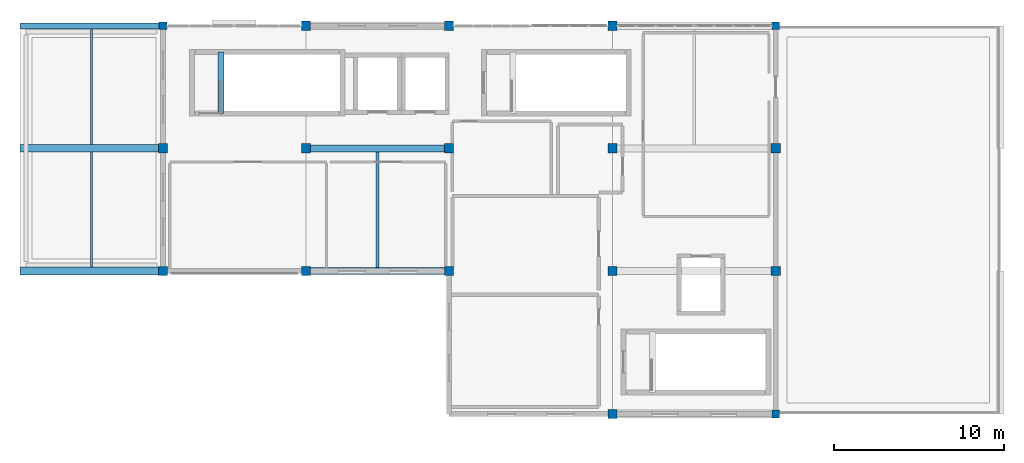
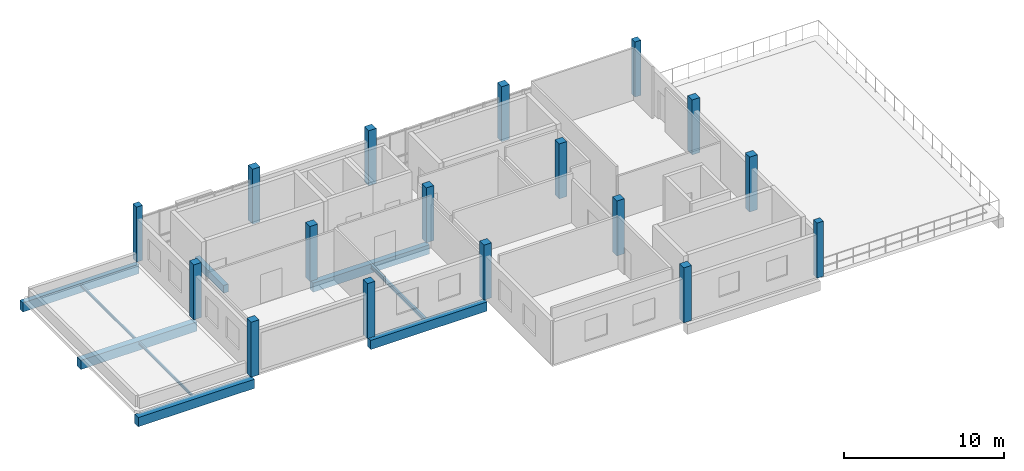
# One storey, part 1 of 11: 17 columns, 9 beams.
"""IFC4 building model written with IfcOpenShell, lengths in metres."""

from ifc_helpers import new_model, si_unit, direction, frame, origin, origin_2d, place, context, subcontext, project, spatial, rectangle, i_section, extrude, material, material_profile, profile_set, type_object, element, save


model = new_model("IFC4")

# Units and contexts
model_context = context("Model", 3, precision=1e-05, world=origin(), true_north=direction((0.0, 1.0)))
body_context = subcontext(model_context, "Body", "Model", "MODEL_VIEW")
ifc_project = project(units=[si_unit("LENGTHUNIT", "METRE"), si_unit("AREAUNIT", "SQUARE_METRE"), si_unit("VOLUMEUNIT", "CUBIC_METRE"), si_unit("PLANEANGLEUNIT", "RADIAN"), si_unit("MASSUNIT", "GRAM", prefix="KILO")], contexts=[model_context])

# Site, building, storey
site_placement = place(None, origin())
site = spatial("IfcSite", under=ifc_project, at=site_placement, CompositionType="ELEMENT")
building_placement = place(site_placement, origin())
building = spatial("IfcBuilding", under=site, at=building_placement, Name="Kisaragi Civic Commons", CompositionType="ELEMENT")
storey_placement = place(building_placement, frame((0.0, 0.0, 17.39990234375)))
storey = spatial("IfcBuildingStorey", under=building, at=storey_placement, Name="L04", CompositionType="ELEMENT", Elevation=17.39990234375)

# Columns
ifc_material_1 = material(Name="Concrete Fc30", Category="concrete")
ifc_material_profile_1 = material_profile(ifc_material_1, rectangle(XDim=0.550048828125, YDim=0.550048828125, at=origin_2d()), Name="RC-550x550", Category="concrete")
ifc_profile_set_1 = profile_set([ifc_material_profile_1], Name="Concrete Fc30")
column_type_1 = type_object("IfcColumnType", Name="C-04", PredefinedType="COLUMN", material=ifc_profile_set_1)
for number, where, z_axis, x_axis, name in (
    (1, (97.199951171875, 104.39990234375, 0.0), (0.0, 0.0, 1.0), (1.0, 0.0, 0.0), "L04 column C-04 (97.2,104.4)"),
    (2, (97.199951171875, 111.60009765625, 0.0), (0.0, 0.0, 1.0), (1.0, 0.0, 0.0), "L04 column C-04 (97.2,111.6)"),
    (3, (105.60009765625, 104.39990234375, 0.0), (0.0, 0.0, 1.0), (1.0, 0.0, 0.0), "L04 column C-04 (105.6,104.4)"),
    (4, (105.60009765625, 111.60009765625, 0.0), (0.0, 0.0, 1.0), (1.0, 0.0, 0.0), "L04 column C-04 (105.6,111.6)"),
    (5, (114.0, 104.39990234375, 0.0), (0.0, 0.0, 1.0), (1.0, 0.0, 0.0), "L04 column C-04 (114.0,104.4)"),
    (6, (114.0, 111.60009765625, 0.0), (0.0, 0.0, 1.0), (1.0, 0.0, 0.0), "L04 column C-04 (114.0,111.6)"),
    (7, (123.60009765625, 104.39990234375, 0.0), (0.0, 0.0, 1.0), (1.0, 0.0, 0.0), "L04 column C-04 (123.6,104.4)"),
    (8, (123.60009765625, 111.60009765625, 0.0), (0.0, 0.0, 1.0), (1.0, 0.0, 0.0), "L04 column C-04 (123.6,111.6)"),
    (9, (133.199951171875, 104.39990234375, 0.0), (0.0, 0.0, 1.0), (1.0, 0.0, 0.0), "L04 column C-04 (133.2,104.4)"),
    (10, (133.199951171875, 111.60009765625, 0.0), (0.0, 0.0, 1.0), (1.0, 0.0, 0.0), "L04 column C-04 (133.2,111.6)"),
):
    element("IfcColumn", number, at=place(storey_placement, frame(where, z_axis=z_axis, x_axis=x_axis)), inside=storey, type_object=column_type_1, Name=name, PredefinedType="COLUMN", context=body_context, shape_type="SweptSolid", body=[
        extrude(rectangle(XDim=0.550048828125, YDim=0.550048828125, at=origin_2d()), origin(), (0.0, 0.0, 1.0), 4.2001953125),
    ])
ifc_material_profile_2 = material_profile(ifc_material_1, rectangle(XDim=0.550048828125, YDim=0.550048828125, at=origin_2d()), Name="RC-550x550", Category="concrete")
ifc_profile_set_2 = profile_set([ifc_material_profile_2], Name="Concrete Fc30")
column_type_2 = type_object("IfcColumnType", Name="C-08", PredefinedType="COLUMN", material=ifc_profile_set_2)
for number, where, z_axis, x_axis, name in (
    (11, (105.60009765625, 118.800048828125, 0.0), (0.0, 0.0, 1.0), (1.0, 0.0, 0.0), "L04 column C-08 (105.6,118.8)"),
    (12, (114.0, 118.800048828125, 0.0), (0.0, 0.0, 1.0), (1.0, 0.0, 0.0), "L04 column C-08 (114.0,118.8)"),
    (13, (123.60009765625, 96.0, 0.0), (0.0, 0.0, 1.0), (1.0, 0.0, 0.0), "L04 column C-08 (123.6,96.0)"),
    (14, (123.60009765625, 118.800048828125, 0.0), (0.0, 0.0, 1.0), (1.0, 0.0, 0.0), "L04 column C-08 (123.6,118.8)"),
):
    element("IfcColumn", number, at=place(storey_placement, frame(where, z_axis=z_axis, x_axis=x_axis)), inside=storey, type_object=column_type_2, Name=name, PredefinedType="COLUMN", context=body_context, shape_type="SweptSolid", body=[
        extrude(rectangle(XDim=0.550048828125, YDim=0.550048828125, at=origin_2d()), origin(), (0.0, 0.0, 1.0), 4.2001953125),
    ])
ifc_material_profile_3 = material_profile(ifc_material_1, rectangle(XDim=0.449951171875, YDim=0.449951171875, at=origin_2d()), Name="RC-450x450", Category="concrete")
ifc_profile_set_3 = profile_set([ifc_material_profile_3], Name="Concrete Fc30")
column_type_3 = type_object("IfcColumnType", Name="C-18", PredefinedType="COLUMN", material=ifc_profile_set_3)
for number, where, z_axis, x_axis, name in (
    (15, (97.199951171875, 118.800048828125, 0.0), (0.0, 0.0, 1.0), (1.0, 0.0, 0.0), "L04 column C-18 (97.2,118.8)"),
    (16, (133.199951171875, 96.0, 0.0), (0.0, 0.0, 1.0), (1.0, 0.0, 0.0), "L04 column C-18 (133.2,96.0)"),
    (17, (133.199951171875, 118.800048828125, 0.0), (0.0, 0.0, 1.0), (1.0, 0.0, 0.0), "L04 column C-18 (133.2,118.8)"),
):
    element("IfcColumn", number, at=place(storey_placement, frame(where, z_axis=z_axis, x_axis=x_axis)), inside=storey, type_object=column_type_3, Name=name, PredefinedType="COLUMN", context=body_context, shape_type="SweptSolid", body=[
        extrude(rectangle(XDim=0.449951171875, YDim=0.449951171875, at=origin_2d()), origin(), (0.0, 0.0, 1.0), 4.2001953125),
    ])

# Beams
ifc_material_profile_4 = material_profile(ifc_material_1, rectangle(XDim=0.35009765625, YDim=0.60009765625, at=origin_2d()), Name="RC-350x600", Category="concrete")
ifc_profile_set_4 = profile_set([ifc_material_profile_4], Name="Concrete Fc30")
beam_type_1 = type_object("IfcBeamType", Name="G-14", PredefinedType="BEAM", material=ifc_profile_set_4)
beam_1_placement = place(storey_placement, frame((100.60009765625, 113.64990234375, -0.2998046875), z_axis=(0.0, 1.0, 0.0), x_axis=(-1.0, 0.0, 0.0)))
element("IfcBeam", 18, at=beam_1_placement, inside=storey, type_object=beam_type_1, Name="ST-L1 L04 stair landing trimmer beam", PredefinedType="BEAM", context=body_context, shape_type="SweptSolid", body=[
    extrude(rectangle(XDim=0.35009765625, YDim=0.60009765625, at=origin_2d()), origin(), (0.0, 0.0, 1.0), 3.60009765625),
])
ifc_material_profile_5 = material_profile(ifc_material_1, rectangle(XDim=0.39990234375, YDim=0.699951171875, at=origin_2d()), Name="RC-400x700", Category="concrete")
ifc_profile_set_5 = profile_set([ifc_material_profile_5], Name="Concrete Fc30")
beam_type_2 = type_object("IfcBeamType", Name="G-16", PredefinedType="BEAM", material=ifc_profile_set_5)
for number, where, z_axis, x_axis, name in (
    (19, (105.60009765625, 104.39990234375, -0.619873046875), (1.0, 0.0, 0.0), (0.0, 1.0, 0.0), "L04 girder G-16 338"),
    (20, (105.60009765625, 111.60009765625, -0.619873046875), (1.0, 0.0, 0.0), (0.0, 1.0, 0.0), "L04 girder G-16 341"),
):
    element("IfcBeam", number, at=place(storey_placement, frame(where, z_axis=z_axis, x_axis=x_axis)), inside=storey, type_object=beam_type_2, Name=name, PredefinedType="BEAM", context=body_context, shape_type="SweptSolid", body=[
        extrude(rectangle(XDim=0.39990234375, YDim=0.699951171875, at=origin_2d()), origin(), (0.0, 0.0, 1.0), 8.39990234375),
    ])
ifc_material_profile_6 = material_profile(ifc_material_1, rectangle(XDim=0.449951171875, YDim=0.699951171875, at=origin_2d()), Name="RC-450x700", Category="concrete")
ifc_profile_set_6 = profile_set([ifc_material_profile_6], Name="Concrete Fc30")
beam_type_3 = type_object("IfcBeamType", Name="G-17", PredefinedType="BEAM", material=ifc_profile_set_6)
for number, where, z_axis, x_axis, name in (
    (21, (88.800048828125, 104.39990234375, -0.619873046875), (1.0, 0.0, 0.0), (0.0, 1.0, 0.0), "L04 girder G-17 337"),
    (22, (88.800048828125, 111.60009765625, -0.619873046875), (1.0, 0.0, 0.0), (0.0, 1.0, 0.0), "L04 girder G-17 340"),
):
    element("IfcBeam", number, at=place(storey_placement, frame(where, z_axis=z_axis, x_axis=x_axis)), inside=storey, type_object=beam_type_3, Name=name, PredefinedType="BEAM", context=body_context, shape_type="SweptSolid", body=[
        extrude(rectangle(XDim=0.449951171875, YDim=0.699951171875, at=origin_2d()), origin(), (0.0, 0.0, 1.0), 8.39990234375),
    ])
ifc_material_2 = material(Name="Steel SN400 (SN400B)", Category="steel")
ifc_material_profile_7 = material_profile(ifc_material_2, i_section(OverallWidth=0.14990234375, OverallDepth=0.300048828125, WebThickness=0.006591796875, FlangeThickness=0.009033203125, FilletRadius=0.012939453125, at=origin_2d()), Name="H-300x150x6.5x9", Category="steel")
ifc_profile_set_7 = profile_set([ifc_material_profile_7], Name="Steel SN400 (SN400B)")
beam_type_4 = type_object("IfcBeamType", Name="J-03", PredefinedType="JOIST", material=ifc_profile_set_7)
beam_2_placement = place(storey_placement, frame((109.800048828125, 104.60009765625, -0.419921875), z_axis=(0.0, 1.0, 0.0), x_axis=(-1.0, 0.0, 0.0)))
element("IfcBeam", 23, at=beam_2_placement, inside=storey, type_object=beam_type_4, Name="L04 secondary steel joist J-03 82", PredefinedType="JOIST", context=body_context, shape_type="SweptSolid", body=[
    extrude(i_section(OverallWidth=0.14990234375, OverallDepth=0.300048828125, WebThickness=0.006591796875, FlangeThickness=0.009033203125, FilletRadius=0.012939453125, at=origin_2d()), origin(), (0.0, 0.0, 1.0), 6.7998046875),
])
ifc_material_profile_8 = material_profile(ifc_material_2, i_section(OverallWidth=0.10009765625, OverallDepth=0.199951171875, WebThickness=0.005615234375, FlangeThickness=0.008056640625, FilletRadius=0.008056640625, at=origin_2d()), Name="H-200x100x5.5x8", Category="steel")
ifc_profile_set_8 = profile_set([ifc_material_profile_8], Name="Steel SN400 (SN400B)")
beam_type_5 = type_object("IfcBeamType", Name="J-06", PredefinedType="JOIST", material=ifc_profile_set_8)
beam_3_placement = place(storey_placement, frame((93.0, 104.625, -0.369873046875), z_axis=(0.0, 1.0, 0.0), x_axis=(-1.0, 0.0, 0.0)))
element("IfcBeam", 24, at=beam_3_placement, inside=storey, type_object=beam_type_5, Name="L04 secondary steel joist J-06 80", PredefinedType="JOIST", context=body_context, shape_type="SweptSolid", body=[
    extrude(i_section(OverallWidth=0.10009765625, OverallDepth=0.199951171875, WebThickness=0.005615234375, FlangeThickness=0.008056640625, FilletRadius=0.008056640625, at=origin_2d()), origin(), (0.0, 0.0, 1.0), 6.75),
])
beam_4_placement = place(storey_placement, frame((93.0, 111.824951171875, -0.369873046875), z_axis=(0.0, 1.0, 0.0), x_axis=(-1.0, 0.0, 0.0)))
element("IfcBeam", 25, at=beam_4_placement, inside=storey, type_object=beam_type_5, Name="L04 secondary steel joist J-06 81", PredefinedType="JOIST", context=body_context, shape_type="SweptSolid", body=[
    extrude(i_section(OverallWidth=0.10009765625, OverallDepth=0.199951171875, WebThickness=0.005615234375, FlangeThickness=0.008056640625, FilletRadius=0.008056640625, at=origin_2d()), origin(), (0.0, 0.0, 1.0), 6.800048828125),
])
ifc_material_3 = material(Name="Precast concrete Fc36", Category="concrete")
ifc_material_profile_9 = material_profile(ifc_material_3, rectangle(XDim=0.35009765625, YDim=0.699951171875, at=origin_2d()), Name="PC-350x700", Category="concrete")
ifc_profile_set_9 = profile_set([ifc_material_profile_9], Name="Precast concrete Fc36")
beam_type_6 = type_object("IfcBeamType", Name="SPB-03", PredefinedType="SPANDREL", material=ifc_profile_set_9)
beam_5_placement = place(storey_placement, frame((88.800048828125, 118.800048828125, -0.619873046875), z_axis=(1.0, 0.0, 0.0), x_axis=(0.0, 1.0, 0.0)))
element("IfcBeam", 26, at=beam_5_placement, inside=storey, type_object=beam_type_6, Name="L04 girder SPB-03 343", PredefinedType="SPANDREL", context=body_context, shape_type="SweptSolid", body=[
    extrude(rectangle(XDim=0.35009765625, YDim=0.699951171875, at=origin_2d()), origin(), (0.0, 0.0, 1.0), 8.39990234375),
])

save(model, "model.ifc")
